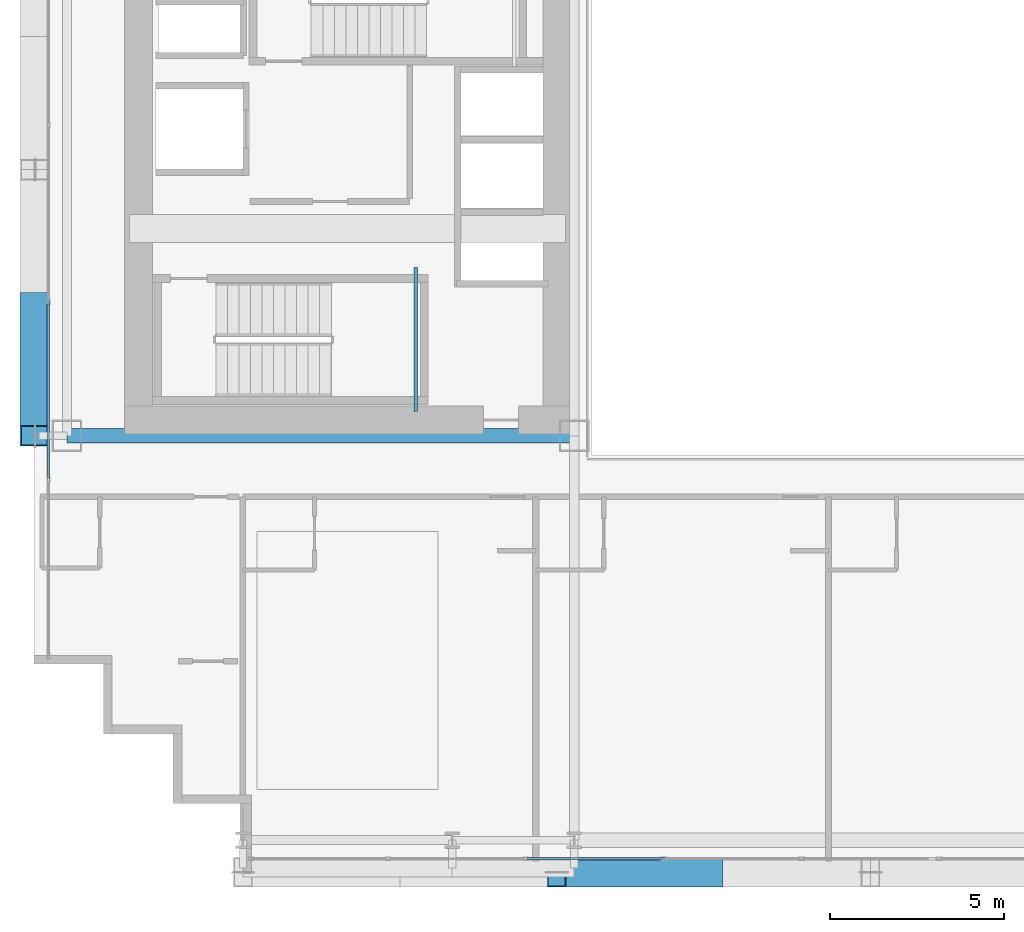
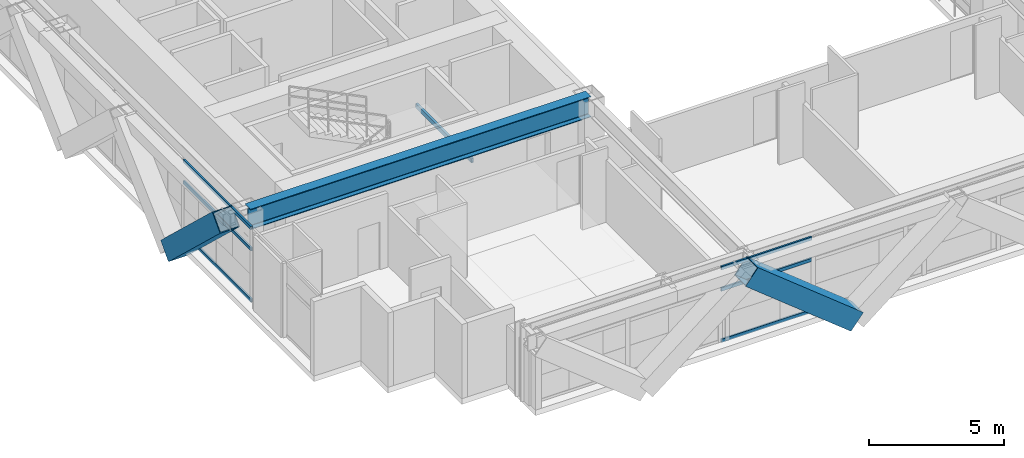
# One storey, part 4 of 38: 8 members, 2 beams, 2 elements without a shape of their own.
"""IFC4 building model written with IfcOpenShell, lengths in metres."""

from ifc_helpers import new_model, si_unit, direction, frame, origin, origin_2d, place, context, subcontext, project, spatial, hollow_rectangle, i_section, extrude, source, transform, mapped, material, layer, layer_set, material_profile, profile_set, type_object, element, aggregate, save


model = new_model("IFC4")

# Units and contexts
model_context = context("Model", 3, precision=1e-05, world=origin(), true_north=direction((0.0, 1.0)))
body_context = subcontext(model_context, "Body", "Model", "MODEL_VIEW")
ifc_project = project(units=[si_unit("LENGTHUNIT", "METRE"), si_unit("AREAUNIT", "SQUARE_METRE"), si_unit("VOLUMEUNIT", "CUBIC_METRE"), si_unit("PLANEANGLEUNIT", "RADIAN"), si_unit("MASSUNIT", "GRAM", prefix="KILO")], contexts=[model_context])

# Site, building, storey
site_placement = place(None, origin())
site = spatial("IfcSite", under=ifc_project, at=site_placement, CompositionType="ELEMENT")
building_placement = place(site_placement, origin())
building = spatial("IfcBuilding", under=site, at=building_placement, Name="Ocotamira Hotel", CompositionType="ELEMENT")
storey_placement = place(building_placement, frame((0.0, 0.0, 60.0)))
storey = spatial("IfcBuildingStorey", under=building, at=storey_placement, Name="L14", CompositionType="ELEMENT", Elevation=60.0)

# Beams
ifc_material_1 = material(Name="Steel ASTM A500 Grade C", Category="steel")
ifc_material_profile_1 = material_profile(ifc_material_1, hollow_rectangle(XDim=0.10009765625, YDim=0.199951171875, WallThickness=0.008056640625, at=origin_2d()), Name="HSS200X100X8")
ifc_profile_set_1 = profile_set([ifc_material_profile_1], Name="Steel ASTM A500 Grade C")
beam_type_1 = type_object("IfcBeamType", Name="BM-STLDG-HSS200", PredefinedType="BEAM", material=ifc_profile_set_1)
shared_shape_1 = source(origin(), body_context, "Body", "SweptSolid", [
    extrude(hollow_rectangle(XDim=0.10009765625, YDim=0.199951171875, WallThickness=0.008056640625, at=origin_2d()), origin(), (0.0, 0.0, 1.0), 4.1201171875),
])
beam_1_placement = place(storey_placement, frame((18.949951171875, 15.25, 1.5), z_axis=(0.0, 1.0, 0.0), x_axis=(-1.0, 0.0, 0.0)))
element("IfcBeam", 1, at=beam_1_placement, inside=storey, type_object=beam_type_1, Name="L14 Stair ST-1 Landing Bearer 1", PredefinedType="BEAM", context=body_context, shape_type="MappedRepresentation", body=[
    mapped(shared_shape_1, transform((0.0, 0.0, 0.0), scale=1.0)),
])
ifc_material_2 = material(Name="Steel ASTM A992 Grade 50", Category="steel")
ifc_material_profile_2 = material_profile(ifc_material_2, i_section(OverallWidth=0.41796875, OverallDepth=0.927001953125, WebThickness=0.019287109375, FlangeThickness=0.031982421875, FilletRadius=0.02392578125, at=origin_2d()), Name="W36X231")
ifc_profile_set_2 = profile_set([ifc_material_profile_2], Name="Steel ASTM A992 Grade 50")
beam_type_2 = type_object("IfcBeamType", Name="BM-GIRD-W36X231", PredefinedType="BEAM", material=ifc_profile_set_2)
shared_shape_2 = source(origin(), body_context, "Body", "SweptSolid", [
    extrude(i_section(OverallWidth=0.41796875, OverallDepth=0.927001953125, WebThickness=0.019287109375, FlangeThickness=0.031982421875, FilletRadius=0.02392578125, at=origin_2d()), origin(), (0.0, 0.0, 1.0), 14.550048828125),
])
beam_2_placement = place(storey_placement, frame((8.949951171875, 14.550048828125, 2.886474609375), z_axis=(1.0, 0.0, 0.0), x_axis=(0.0, 1.0, 0.0)))
element("IfcBeam", 2, at=beam_2_placement, inside=storey, type_object=beam_type_2, Name="L14 Girder Y14.55 X8.95-23.5", PredefinedType="BEAM", context=body_context, shape_type="MappedRepresentation", body=[
    mapped(shared_shape_2, transform((0.0, 0.0, 0.0), scale=1.0)),
])

# Members
ifc_material_3 = material(Name="Pale-metal coated steel ASTM A913 Grade 65", Category="steel")
ifc_material_profile_3 = material_profile(ifc_material_3, hollow_rectangle(XDim=0.85009765625, YDim=0.85009765625, WallThickness=0.035888671875, at=origin_2d()), Name="BOX850X850X36")
ifc_profile_set_3 = profile_set([ifc_material_profile_3], Name="Pale-metal coated steel ASTM A913 Grade 65")
member_type_1 = type_object("IfcMemberType", Name="MEM-EXO-BOX850", PredefinedType="BRACE", material=ifc_profile_set_3)
shared_shape_3 = source(origin(), body_context, "Body", "SweptSolid", [
    extrude(hollow_rectangle(XDim=0.85009765625, YDim=0.85009765625, WallThickness=0.035888671875, at=origin_2d()), origin(), (0.0, 0.0, 1.0), 5.24658203125),
])
member_1_placement = place(storey_placement, frame((8.030029296875, 18.36669921875, -0.5), z_axis=(0.0, -0.727442733726, 0.686168397078), x_axis=(1.0, 0.0, 0.0)))
element("IfcMember", 3, at=member_1_placement, inside=storey, type_object=member_type_1, Name="L14 Exoskeleton Diagrid W0.1", PredefinedType="BRACE", context=body_context, shape_type="MappedRepresentation", body=[
    mapped(shared_shape_3, transform((0.0, 0.0, 0.0), scale=1.0)),
])
shared_shape_4 = source(origin(), body_context, "Body", "SweptSolid", [
    extrude(hollow_rectangle(XDim=0.85009765625, YDim=0.85009765625, WallThickness=0.035888671875, at=origin_2d()), origin(), (0.0, 0.0, 1.0), 5.762939453125),
])
member_2_placement = place(storey_placement, frame((27.5, 2.030029296875, -0.5), z_axis=(-0.780860543151, 0.0, 0.624705380279), x_axis=(0.0, -1.0, 0.0)))
element("IfcMember", 4, at=member_2_placement, inside=storey, type_object=member_type_1, Name="L14 Exoskeleton Diagrid S1.1", PredefinedType="BRACE", context=body_context, shape_type="MappedRepresentation", body=[
    mapped(shared_shape_4, transform((0.0, 0.0, 0.0), scale=1.0)),
])

# Curtain wall, members
ifc_material_4 = material(Name="Anodised pale-metal aluminium and solar glass", Category="aluminium")
ifc_layer = layer(ifc_material_4, 0.179931640625)
ifc_layer_set = layer_set([ifc_layer], Name="Anodised pale-metal aluminium and solar glass")
curtain_wall_type = type_object("IfcCurtainWallType", Name="CW-SYS2-Z1", PredefinedType="NOTDEFINED", material=ifc_layer_set)
curtain_wall_1_placement = place(storey_placement, origin())
curtain_wall_1 = element("IfcCurtainWall", 5, at=curtain_wall_1_placement, inside=storey, type_object=curtain_wall_type, Name="L14 Curtain Wall CW-2 CW-L14-S1", PredefinedType="NOTDEFINED")
ifc_material_5 = material(Name="Anodised pale-metal aluminium 6063-T6", Category="aluminium")
ifc_material_profile_4 = material_profile(ifc_material_5, hollow_rectangle(XDim=0.074951171875, YDim=0.14990234375, WallThickness=0.006103515625, at=origin_2d()), Name="HSS150X75X6")
ifc_profile_set_4 = profile_set([ifc_material_profile_4], Name="Anodised pale-metal aluminium 6063-T6")
member_type_2 = type_object("IfcMemberType", Name="CWT-150X75", PredefinedType="USERDEFINED", material=ifc_profile_set_4)
shared_shape_5 = source(origin(), body_context, "Body", "SweptSolid", [
    extrude(hollow_rectangle(XDim=0.074951171875, YDim=0.14990234375, WallThickness=0.006103515625, at=origin_2d()), origin(), (0.0, 0.0, 1.0), 3.87548828125),
])
member_3_placement = place(storey_placement, frame((22.151123046875, 2.419921875, 0.03759765625), z_axis=(1.0, 0.0, 0.0), x_axis=(0.0, 1.0, 0.0)))
member_3 = element("IfcMember", 6, at=member_3_placement, type_object=member_type_2, Name="CW-2 transom 3.1", ObjectType="TRANSOM", PredefinedType="USERDEFINED", context=body_context, shape_type="MappedRepresentation", body=[
    mapped(shared_shape_5, transform((0.0, 0.0, 0.0), scale=1.0)),
])
member_4_placement = place(storey_placement, frame((22.151123046875, 2.419921875, 2.35009765625), z_axis=(1.0, 0.0, 0.0), x_axis=(0.0, 1.0, 0.0)))
member_4 = element("IfcMember", 7, at=member_4_placement, type_object=member_type_2, Name="CW-2 transom 3.2", ObjectType="TRANSOM", PredefinedType="USERDEFINED", context=body_context, shape_type="MappedRepresentation", body=[
    mapped(shared_shape_5, transform((0.0, 0.0, 0.0), scale=1.0)),
])
member_5_placement = place(storey_placement, frame((22.151123046875, 2.419921875, 3.3125), z_axis=(1.0, 0.0, 0.0), x_axis=(0.0, 1.0, 0.0)))
member_5 = element("IfcMember", 8, at=member_5_placement, type_object=member_type_2, Name="CW-2 transom 3.3", ObjectType="TRANSOM", PredefinedType="USERDEFINED", context=body_context, shape_type="MappedRepresentation", body=[
    mapped(shared_shape_5, transform((0.0, 0.0, 0.0), scale=1.0)),
])
aggregate(curtain_wall_1, [member_3, member_4, member_5])

curtain_wall_2_placement = place(storey_placement, origin())
curtain_wall_2 = element("IfcCurtainWall", 9, at=curtain_wall_2_placement, inside=storey, type_object=curtain_wall_type, Name="L14 Curtain Wall CW-2 CW-L14-W", PredefinedType="NOTDEFINED")
shared_shape_6 = source(origin(), body_context, "Body", "SweptSolid", [
    extrude(hollow_rectangle(XDim=0.074951171875, YDim=0.14990234375, WallThickness=0.006103515625, at=origin_2d()), origin(), (0.0, 0.0, 1.0), 5.005859375),
])
member_6_placement = place(storey_placement, frame((8.419921875, 13.32568359375, 0.03759765625), z_axis=(0.0, 1.0, 0.0), x_axis=(-1.0, 0.0, 0.0)))
member_6 = element("IfcMember", 10, at=member_6_placement, type_object=member_type_2, Name="CW-2 transom 2.1", ObjectType="TRANSOM", PredefinedType="USERDEFINED", context=body_context, shape_type="MappedRepresentation", body=[
    mapped(shared_shape_6, transform((0.0, 0.0, 0.0), scale=1.0)),
])
member_7_placement = place(storey_placement, frame((8.419921875, 13.32568359375, 2.35009765625), z_axis=(0.0, 1.0, 0.0), x_axis=(-1.0, 0.0, 0.0)))
member_7 = element("IfcMember", 11, at=member_7_placement, type_object=member_type_2, Name="CW-2 transom 2.2", ObjectType="TRANSOM", PredefinedType="USERDEFINED", context=body_context, shape_type="MappedRepresentation", body=[
    mapped(shared_shape_6, transform((0.0, 0.0, 0.0), scale=1.0)),
])
member_8_placement = place(storey_placement, frame((8.419921875, 13.32568359375, 3.3125), z_axis=(0.0, 1.0, 0.0), x_axis=(-1.0, 0.0, 0.0)))
member_8 = element("IfcMember", 12, at=member_8_placement, type_object=member_type_2, Name="CW-2 transom 2.3", ObjectType="TRANSOM", PredefinedType="USERDEFINED", context=body_context, shape_type="MappedRepresentation", body=[
    mapped(shared_shape_6, transform((0.0, 0.0, 0.0), scale=1.0)),
])
aggregate(curtain_wall_2, [member_6, member_7, member_8])

save(model, "model.ifc")
